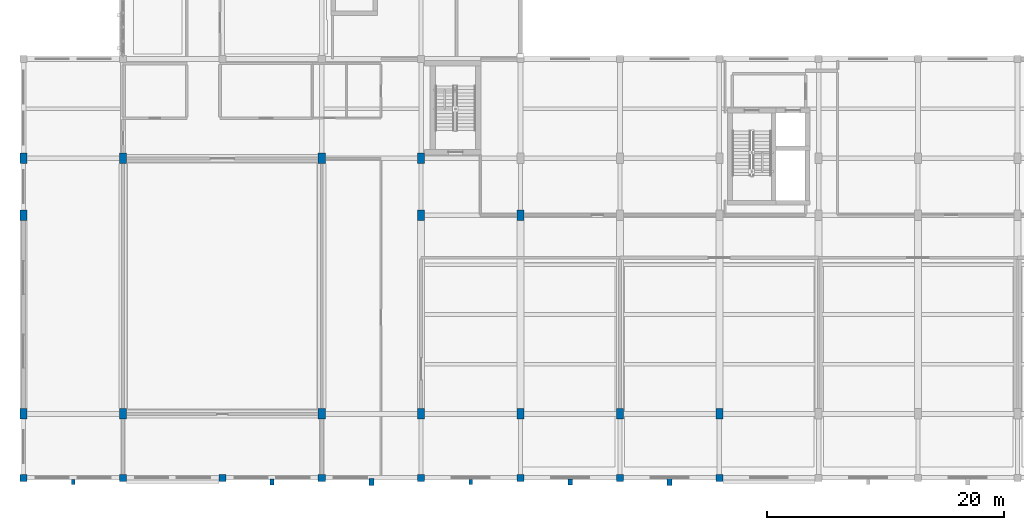
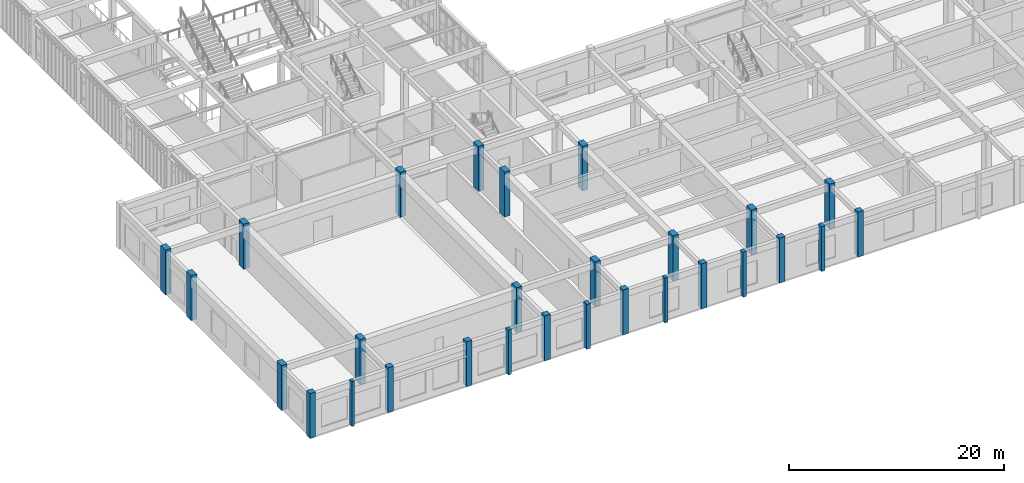
# One storey, part 1 of 93: 28 columns.
"""IFC4 building model written with IfcOpenShell, lengths in metres."""

from ifc_helpers import new_model, si_unit, direction, frame, origin, origin_2d, place, context, subcontext, project, spatial, rectangle, extrude, material, material_profile, profile_set, type_object, element, save


model = new_model("IFC4")

# Units and contexts
model_context = context("Model", 3, precision=1e-05, world=origin(), true_north=direction((0.0, 1.0)))
body_context = subcontext(model_context, "Body", "Model", "MODEL_VIEW")
ifc_project = project(units=[si_unit("LENGTHUNIT", "METRE"), si_unit("AREAUNIT", "SQUARE_METRE"), si_unit("VOLUMEUNIT", "CUBIC_METRE"), si_unit("PLANEANGLEUNIT", "RADIAN"), si_unit("MASSUNIT", "GRAM", prefix="KILO")], contexts=[model_context])

# Site, building, storey
site_placement = place(None, origin())
site = spatial("IfcSite", under=ifc_project, at=site_placement, CompositionType="ELEMENT")
building_placement = place(site_placement, origin())
building = spatial("IfcBuilding", under=site, at=building_placement, Name="Krzemoval Escarpment Law Courts", CompositionType="ELEMENT")
storey_placement = place(building_placement, frame((0.0, 0.0, 10.199951171875)))
storey = spatial("IfcBuildingStorey", under=building, at=storey_placement, Name="L02", CompositionType="ELEMENT", Elevation=10.199951171875)

# Columns
ifc_material_1 = material(Name="Concrete C40/50", Category="concrete")
ifc_material_profile_1 = material_profile(ifc_material_1, rectangle(XDim=0.60009765625, YDim=0.60009765625, at=origin_2d()), Name="RC 600x600")
ifc_profile_set_1 = profile_set([ifc_material_profile_1], Name="Concrete C40/50")
column_type_1 = type_object("IfcColumnType", Name="COL-RC-600", PredefinedType="COLUMN", material=ifc_profile_set_1)
for number, where, z_axis, x_axis, name in (
    (1, (0.0, 0.0, 0.0), (0.0, 0.0, 1.0), (1.0, 0.0, 0.0), "Column FC-L02-0809"),
    (2, (8.39990234375, 0.0, 0.0), (0.0, 0.0, 1.0), (1.0, 0.0, 0.0), "Column FC-L02-0814"),
    (3, (16.800048828125, 0.0, 0.0), (0.0, 0.0, 1.0), (1.0, 0.0, 0.0), "Column FC-L02-0829"),
    (4, (25.199951171875, 0.0, 0.0), (0.0, 0.0, 1.0), (1.0, 0.0, 0.0), "Column FC-L02-0842"),
    (5, (33.60009765625, 0.0, 0.0), (0.0, 0.0, 1.0), (1.0, 0.0, 0.0), "Column FC-L02-0852"),
    (6, (42.0, 0.0, 0.0), (0.0, 0.0, 1.0), (1.0, 0.0, 0.0), "Column FC-L02-0868"),
    (7, (50.39990234375, 0.0, 0.0), (0.0, 0.0, 1.0), (1.0, 0.0, 0.0), "Column FC-L02-0884"),
    (8, (58.800048828125, 0.0, 0.0), (0.0, 0.0, 1.0), (1.0, 0.0, 0.0), "Column FC-L02-0889"),
):
    element("IfcColumn", number, at=place(storey_placement, frame(where, z_axis=z_axis, x_axis=x_axis)), inside=storey, type_object=column_type_1, Name=name, PredefinedType="COLUMN", context=body_context, shape_type="SweptSolid", body=[
        extrude(rectangle(XDim=0.60009765625, YDim=0.60009765625, at=origin_2d()), origin(), (0.0, 0.0, 1.0), 5.10009765625),
    ])
ifc_material_2 = material(Name="Concrete C50/60", Category="concrete")
ifc_material_profile_2 = material_profile(ifc_material_2, rectangle(XDim=0.60009765625, YDim=0.89990234375, at=origin_2d()), Name="RC 600x900")
ifc_profile_set_2 = profile_set([ifc_material_profile_2], Name="Concrete C50/60")
column_type_2 = type_object("IfcColumnType", Name="COL-RC-600x900", PredefinedType="COLUMN", material=ifc_profile_set_2)
for number, where, z_axis, x_axis, name in (
    (9, (0.0, 5.39990234375, 0.0), (0.0, 0.0, 1.0), (1.0, 0.0, 0.0), "Column FC-L02-0810"),
    (10, (0.0, 22.199951171875, 0.0), (0.0, 0.0, 1.0), (1.0, 0.0, 0.0), "Column FC-L02-0811"),
    (11, (0.0, 27.0, 0.0), (0.0, 0.0, 1.0), (1.0, 0.0, 0.0), "Column FC-L02-0812"),
    (12, (8.39990234375, 5.39990234375, 0.0), (0.0, 0.0, 1.0), (1.0, 0.0, 0.0), "Column FC-L02-0815"),
    (13, (8.39990234375, 27.0, 0.0), (0.0, 0.0, 1.0), (1.0, 0.0, 0.0), "Column FC-L02-0816"),
    (14, (25.199951171875, 5.39990234375, 0.0), (0.0, 0.0, 1.0), (1.0, 0.0, 0.0), "Column FC-L02-0843"),
    (15, (25.199951171875, 27.0, 0.0), (0.0, 0.0, 1.0), (1.0, 0.0, 0.0), "Column FC-L02-0844"),
    (16, (33.60009765625, 5.39990234375, 0.0), (0.0, 0.0, 1.0), (1.0, 0.0, 0.0), "Column FC-L02-0853"),
    (17, (33.60009765625, 22.199951171875, 0.0), (0.0, 0.0, 1.0), (1.0, 0.0, 0.0), "Column FC-L02-0854"),
    (18, (33.60009765625, 27.0, 0.0), (0.0, 0.0, 1.0), (1.0, 0.0, 0.0), "Column FC-L02-0855"),
    (19, (42.0, 5.39990234375, 0.0), (0.0, 0.0, 1.0), (1.0, 0.0, 0.0), "Column FC-L02-0869"),
    (20, (42.0, 22.199951171875, 0.0), (0.0, 0.0, 1.0), (1.0, 0.0, 0.0), "Column FC-L02-0870"),
    (21, (50.39990234375, 5.39990234375, 0.0), (0.0, 0.0, 1.0), (1.0, 0.0, 0.0), "Column FC-L02-0885"),
    (22, (58.800048828125, 5.39990234375, 0.0), (0.0, 0.0, 1.0), (1.0, 0.0, 0.0), "Column FC-L02-0890"),
):
    element("IfcColumn", number, at=place(storey_placement, frame(where, z_axis=z_axis, x_axis=x_axis)), inside=storey, type_object=column_type_2, Name=name, PredefinedType="COLUMN", context=body_context, shape_type="SweptSolid", body=[
        extrude(rectangle(XDim=0.60009765625, YDim=0.89990234375, at=origin_2d()), origin(), (0.0, 0.0, 1.0), 5.10009765625),
    ])
ifc_material_3 = material(Name="Precast concrete C40/50", Category="concrete")
ifc_material_profile_3 = material_profile(ifc_material_3, rectangle(XDim=0.300048828125, YDim=0.449951171875, at=origin_2d()), Name="PIL 300x450")
ifc_profile_set_3 = profile_set([ifc_material_profile_3], Name="Precast concrete C40/50")
column_type_3 = type_object("IfcColumnType", Name="PIL-PC-300x450", PredefinedType="PILASTER", material=ifc_profile_set_3)
for number, where, z_axis, x_axis, name in (
    (23, (4.199951171875, -0.35009765625, 0.0), (0.0, 0.0, 1.0), (1.0, 0.0, 0.0), "Facade Pilaster PIL-L02-004"),
    (24, (37.800048828125, -0.35009765625, 0.0), (0.0, 0.0, 1.0), (1.0, 0.0, 0.0), "Facade Pilaster PIL-L02-019"),
):
    element("IfcColumn", number, at=place(storey_placement, frame(where, z_axis=z_axis, x_axis=x_axis)), inside=storey, type_object=column_type_3, Name=name, PredefinedType="PILASTER", context=body_context, shape_type="SweptSolid", body=[
        extrude(rectangle(XDim=0.300048828125, YDim=0.449951171875, at=origin_2d()), origin(), (0.0, 0.0, 1.0), 5.10009765625),
    ])
ifc_material_4 = material(Name="Precast concrete C40/50", Category="concrete")
ifc_material_profile_4 = material_profile(ifc_material_4, rectangle(XDim=0.35009765625, YDim=0.5, at=origin_2d()), Name="PIL 350x500")
ifc_profile_set_4 = profile_set([ifc_material_profile_4], Name="Precast concrete C40/50")
column_type_4 = type_object("IfcColumnType", Name="PIL-PC-350x500", PredefinedType="PILASTER", material=ifc_profile_set_4)
for number, where, z_axis, x_axis, name in (
    (25, (21.0, -0.35009765625, 0.0), (0.0, 0.0, 1.0), (1.0, 0.0, 0.0), "Facade Pilaster PIL-L02-009"),
    (26, (46.199951171875, -0.35009765625, 0.0), (0.0, 0.0, 1.0), (1.0, 0.0, 0.0), "Facade Pilaster PIL-L02-024"),
):
    element("IfcColumn", number, at=place(storey_placement, frame(where, z_axis=z_axis, x_axis=x_axis)), inside=storey, type_object=column_type_4, Name=name, PredefinedType="PILASTER", context=body_context, shape_type="SweptSolid", body=[
        extrude(rectangle(XDim=0.35009765625, YDim=0.5, at=origin_2d()), origin(), (0.0, 0.0, 1.0), 5.10009765625),
    ])
ifc_material_5 = material(Name="Precast concrete C40/50", Category="concrete")
ifc_material_profile_5 = material_profile(ifc_material_5, rectangle(XDim=0.39990234375, YDim=0.60009765625, at=origin_2d()), Name="PIL 400x600")
ifc_profile_set_5 = profile_set([ifc_material_profile_5], Name="Precast concrete C40/50")
column_type_5 = type_object("IfcColumnType", Name="PIL-PC-400x600", PredefinedType="PILASTER", material=ifc_profile_set_5)
for number, where, z_axis, x_axis, name in (
    (27, (29.39990234375, -0.35009765625, 0.0), (0.0, 0.0, 1.0), (1.0, 0.0, 0.0), "Facade Pilaster PIL-L02-014"),
    (28, (54.60009765625, -0.35009765625, 0.0), (0.0, 0.0, 1.0), (1.0, 0.0, 0.0), "Facade Pilaster PIL-L02-029"),
):
    element("IfcColumn", number, at=place(storey_placement, frame(where, z_axis=z_axis, x_axis=x_axis)), inside=storey, type_object=column_type_5, Name=name, PredefinedType="PILASTER", context=body_context, shape_type="SweptSolid", body=[
        extrude(rectangle(XDim=0.39990234375, YDim=0.60009765625, at=origin_2d()), origin(), (0.0, 0.0, 1.0), 5.10009765625),
    ])

save(model, "model.ifc")
